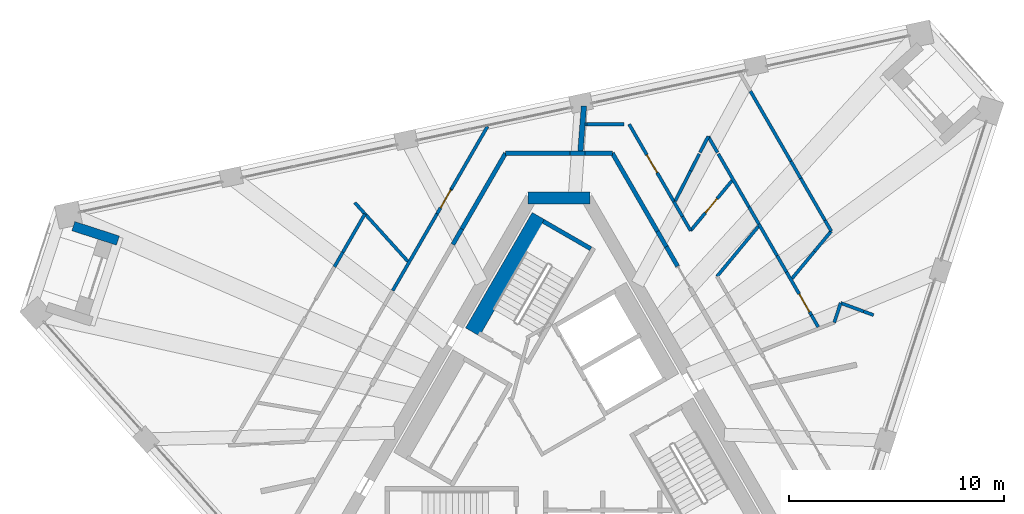
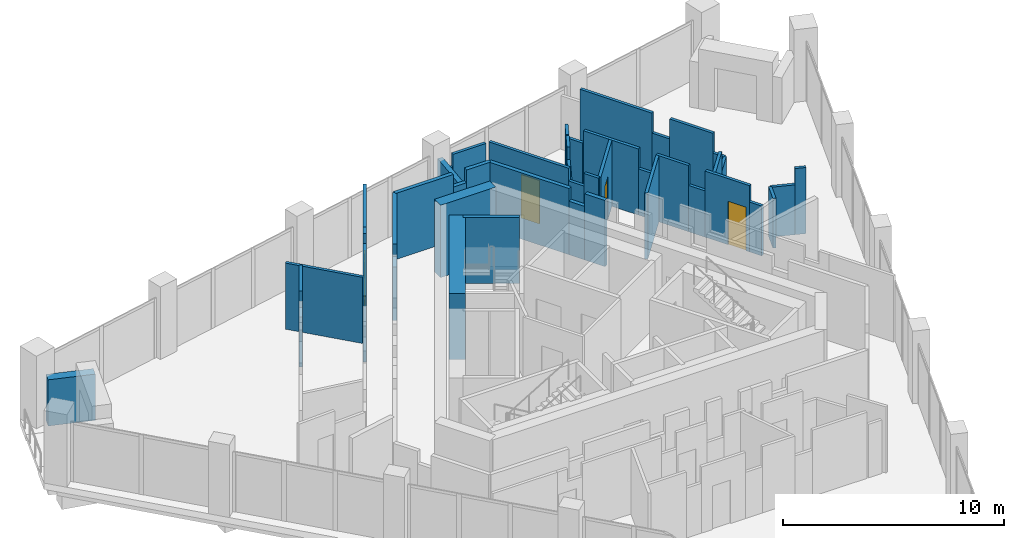
# One storey, part 13 of 17: 45 walls, 4 doors, 4 openings.
"""IFC4 building model written with IfcOpenShell, lengths in metres."""

from ifc_helpers import new_model, si_unit, direction, frame, frame_2d, origin, place, context, subcontext, project, spatial, polyline, rectangle, outline, extrude, material, layer, layer_set, type_object, element, fill, save


model = new_model("IFC4")

# Units and contexts
model_context = context("Model", 3, precision=1e-05, world=origin(), true_north=direction((0.0, 1.0)))
body_context = subcontext(model_context, "Body", "Model", "MODEL_VIEW")
ifc_project = project(units=[si_unit("LENGTHUNIT", "METRE"), si_unit("AREAUNIT", "SQUARE_METRE"), si_unit("VOLUMEUNIT", "CUBIC_METRE"), si_unit("PLANEANGLEUNIT", "RADIAN"), si_unit("MASSUNIT", "GRAM", prefix="KILO")], contexts=[model_context])

# Site, building, storey
site_placement = place(None, origin())
site = spatial("IfcSite", under=ifc_project, at=site_placement, CompositionType="ELEMENT")
building_placement = place(site_placement, origin())
building = spatial("IfcBuilding", under=site, at=building_placement, Name="Tramontana Tower", CompositionType="ELEMENT")
storey_placement = place(building_placement, frame((0.0, 0.0, 348.39990234375)))
storey = spatial("IfcBuildingStorey", under=building, at=storey_placement, Name="L80", CompositionType="ELEMENT", Elevation=348.39990234375)

# Walls
ifc_material_1 = material(Name="Concrete 70 MPa", Category="concrete")
ifc_layer_1 = layer(ifc_material_1, 0.550048828125)
ifc_layer_set_1 = layer_set([ifc_layer_1], Name="Core wall 550 70 MPa")
wall_type_1 = type_object("IfcWallType", Name="Core wall 550 70 MPa", PredefinedType="SHEAR", material=ifc_layer_set_1)
wall_1_placement = place(storey_placement, frame((1.443359375, 10.72509765625, 0.0), z_axis=(0.0, 0.0, 1.0), x_axis=(-1.0, 0.0, 0.0)))
element("IfcWall", 1, at=wall_1_placement, inside=storey, type_object=wall_type_1, Name="Core wall C0 L80", PredefinedType="SHEAR", context=body_context, shape_type="SweptSolid", body=[
    extrude(rectangle(XDim=2.88671875, YDim=0.550048828125, at=frame_2d((1.443359375, 0.0))), origin(), (0.0, 0.0, 1.0), 4.0),
])
ifc_material_2 = material(Name="Blockwork", Category="masonry")
ifc_layer_2 = layer(ifc_material_2, 0.199951171875)
ifc_layer_set_2 = layer_set([ifc_layer_2], Name="ENTRY WALL 200")
wall_type_2 = type_object("IfcWallType", Name="ENTRY WALL 200", PredefinedType="SOLIDWALL", material=ifc_layer_set_2)
wall_2_placement = place(storey_placement, frame((-4.9287109375, 8.563232421875, 0.0), z_axis=(0.0, 0.0, 1.0), x_axis=(0.500046299512, 0.865998671098, 0.0)))
element("IfcWall", 2, at=wall_2_placement, inside=storey, type_object=wall_type_2, Name="Wall v82-ew3-9", PredefinedType="SOLIDWALL", context=body_context, shape_type="SweptSolid", body=[
    extrude(rectangle(XDim=0.82666015625, YDim=0.199951171875, at=frame_2d((0.413330078125, 0.0))), origin(), (0.0, 0.0, 1.0), 2.9501953125),
])
wall_3_placement = place(storey_placement, frame((-4.515380859375, 9.279052734375, 0.0), z_axis=(0.0, 0.0, 1.0), x_axis=(0.499975428181, 0.866039589866, 0.0)))
element("IfcWall", 3, at=wall_3_placement, inside=storey, type_object=wall_type_2, Name="Wall v82-ew3-10", PredefinedType="SOLIDWALL", context=body_context, shape_type="SweptSolid", body=[
    extrude(rectangle(XDim=4.065673828125, YDim=0.199951171875, at=frame_2d((2.03271484375, 0.0))), origin(), (0.0, 0.0, 1.0), 3.650146484375),
])
wall_4_placement = place(storey_placement, frame((-2.482666015625, 12.800048828125, 0.0), z_axis=(0.0, 0.0, 1.0), x_axis=(1.0, 0.0, 0.0)))
element("IfcWall", 4, at=wall_4_placement, inside=storey, type_object=wall_type_2, Name="Wall v82-ew4-0", PredefinedType="SOLIDWALL", context=body_context, shape_type="SweptSolid", body=[
    extrude(rectangle(XDim=3.0029296875, YDim=0.199951171875, at=frame_2d((1.50146484375, 0.0))), origin(), (0.0, 0.0, 1.0), 3.650146484375),
])
wall_5_placement = place(storey_placement, frame((0.520263671875, 12.800048828125, 0.0), z_axis=(0.0, 0.0, 1.0), x_axis=(1.0, 0.0, 0.0)))
element("IfcWall", 5, at=wall_5_placement, inside=storey, type_object=wall_type_2, Name="Wall v82-ew4-1", PredefinedType="SOLIDWALL", context=body_context, shape_type="SweptSolid", body=[
    extrude(rectangle(XDim=0.701416015625, YDim=0.199951171875, at=frame_2d((0.3505859375, 0.0))), origin(), (0.0, 0.0, 1.0), 2.9501953125),
])
wall_6_placement = place(storey_placement, frame((1.2216796875, 12.800048828125, 0.0), z_axis=(0.0, 0.0, 1.0), x_axis=(1.0, 0.0, 0.0)))
element("IfcWall", 6, at=wall_6_placement, inside=storey, type_object=wall_type_2, Name="Wall v82-ew4-2", PredefinedType="SOLIDWALL", context=body_context, shape_type="SweptSolid", body=[
    extrude(rectangle(XDim=1.260986328125, YDim=0.199951171875, at=frame_2d((0.63037109375, 0.0))), origin(), (0.0, 0.0, 1.0), 3.650146484375),
])
wall_7_placement = place(storey_placement, frame((2.482666015625, 12.800048828125, 0.0), z_axis=(0.0, 0.0, 1.0), x_axis=(0.499982771656, -0.866035350345, 0.0)))
element("IfcWall", 7, at=wall_7_placement, inside=storey, type_object=wall_type_2, Name="Wall v82-ew5-0", PredefinedType="SOLIDWALL", context=body_context, shape_type="SweptSolid", body=[
    extrude(rectangle(XDim=4.194580078125, YDim=0.199951171875, at=frame_2d((2.09716796875, 0.0))), origin(), (0.0, 0.0, 1.0), 3.650146484375),
])
wall_8_placement = place(storey_placement, frame((4.579833984375, 9.16748046875, 0.0), z_axis=(0.0, 0.0, 1.0), x_axis=(0.499945576647, -0.866056822842, 0.0)))
element("IfcWall", 8, at=wall_8_placement, inside=storey, type_object=wall_type_2, Name="Wall v82-ew5-1", PredefinedType="SOLIDWALL", context=body_context, shape_type="SweptSolid", body=[
    extrude(rectangle(XDim=0.82080078125, YDim=0.199951171875, at=frame_2d((0.410400390625, 0.0))), origin(), (0.0, 0.0, 1.0), 2.9501953125),
])
wall_9_placement = place(storey_placement, frame((4.990234375, 8.45654296875, 0.0), z_axis=(0.0, 0.0, 1.0), x_axis=(0.500064554934, -0.865988129768, 0.0)))
element("IfcWall", 9, at=wall_9_placement, inside=storey, type_object=wall_type_2, Name="Wall v82-ew5-2", PredefinedType="SOLIDWALL", context=body_context, shape_type="SweptSolid", body=[
    extrude(rectangle(XDim=1.050048828125, YDim=0.199951171875, at=frame_2d((0.52490234375, 0.0))), origin(), (0.0, 0.0, 1.0), 3.650146484375),
])
ifc_material_3 = material(Name="Precast concrete 60 MPa", Category="concrete")
ifc_layer_3 = layer(ifc_material_3, 0.449951171875)
ifc_layer_set_3 = layer_set([ifc_layer_3], Name="Precast concrete 60 MPa, 450 mm")
wall_type_3 = type_object("IfcWallType", Name="EW1 Stone-faced precast wall 450", PredefinedType="SOLIDWALL", material=ifc_layer_set_3)
wall_10_placement = place(storey_placement, frame((-22.57568359375, 9.411865234375, 0.0), z_axis=(0.0, 0.0, 1.0), x_axis=(0.951064526973, -0.308992338955, 0.0)))
element("IfcWall", 10, at=wall_10_placement, inside=storey, type_object=wall_type_3, Name="Corner loggia side wall L80 K80r", PredefinedType="SOLIDWALL", context=body_context, shape_type="SweptSolid", body=[
    extrude(rectangle(XDim=2.17919921875, YDim=0.449951171875, at=frame_2d((1.089599609375, 0.0))), origin(), (0.0, 0.0, 1.0), 2.550048828125),
])
ifc_material_4 = material(Name="Gypsum board partition")
ifc_layer_4 = layer(ifc_material_4, 0.14990234375)
ifc_layer_set_4 = layer_set([ifc_layer_4], Name="PARTITION 150")
wall_type_4 = type_object("IfcWallType", Name="PARTITION 150", PredefinedType="PARTITIONING", material=ifc_layer_set_4)
wall_11_placement = place(storey_placement, frame((-10.438232421875, 7.520263671875, 0.0), z_axis=(0.0, 0.0, 1.0), x_axis=(0.500001804394, 0.866024362014, 0.0)))
element("IfcWall", 11, at=wall_11_placement, inside=storey, type_object=wall_type_4, Name="Wall v82-pw02-5", PredefinedType="PARTITIONING", context=body_context, shape_type="SweptSolid", body=[
    extrude(rectangle(XDim=0.78173828125, YDim=0.14990234375, at=frame_2d((0.390869140625, 0.0))), origin(), (0.0, 0.0, 1.0), 2.75),
])
wall_12_placement = place(storey_placement, frame((-10.04736328125, 8.197265625, 0.0), z_axis=(0.0, 0.0, 1.0), x_axis=(0.499972721762, 0.86604115231, 0.0)))
element("IfcWall", 12, at=wall_12_placement, inside=storey, type_object=wall_type_4, Name="Wall v82-pw02-6", PredefinedType="PARTITIONING", context=body_context, shape_type="SweptSolid", body=[
    extrude(rectangle(XDim=2.0546875, YDim=0.14990234375, at=frame_2d((1.02734375, 0.0))), origin(), (0.0, 0.0, 1.0), 3.650146484375),
])
wall_13_placement = place(storey_placement, frame((-7.726806640625, 6.416748046875, 0.0), z_axis=(0.0, 0.0, 1.0), x_axis=(0.50002680699, 0.866009926209, 0.0)))
element("IfcWall", 13, at=wall_13_placement, inside=storey, type_object=wall_type_4, Name="Wall v82-pw03-7", PredefinedType="PARTITIONING", context=body_context, shape_type="SweptSolid", body=[
    extrude(rectangle(XDim=4.119873046875, YDim=0.14990234375, at=frame_2d((2.06005859375, 0.0))), origin(), (0.0, 0.0, 1.0), 3.650146484375),
])

# Wall, opening, door
wall_14_placement = place(storey_placement, frame((-5.666748046875, 9.984619140625, 0.0), z_axis=(0.0, 0.0, 1.0), x_axis=(0.499904166098, 0.866080726444, 0.0)))
wall_14 = element("IfcWall", 14, at=wall_14_placement, inside=storey, type_object=wall_type_4, Name="Wall v82-pw03-8", PredefinedType="PARTITIONING", context=body_context, shape_type="SweptSolid", body=[
    extrude(outline(polyline([(0.0, 0.0), (1.318115234375, 0.0), (1.318115234375, 3.650146484375), (0.796875, 3.650146484375), (0.796875, 2.9501953125), (0.0, 2.9501953125), (0.0, 0.0)])), frame((0.0, 0.074951171875, 0.0), z_axis=(0.0, -1.0, 0.0), x_axis=(1.0, 0.0, 0.0)), (0.0, 0.0, 1.0), 0.14990234375),
])
opening_1_placement = place(wall_14_placement, frame((0.318115234375, 0.0, 0.0)))
opening_1 = element("IfcOpeningElement", 15, at=opening_1_placement, cuts=wall_14, Name="Opening B8C-03", PredefinedType="OPENING", context=body_context, shape_type="SweptSolid", body=[
    extrude(rectangle(XDim=0.949951171875, YDim=2.39990234375, at=frame_2d((0.47509765625, 1.199951171875))), frame((0.0, 0.0849609375, 0.0), z_axis=(0.0, -1.0, 0.0), x_axis=(1.0, 0.0, 0.0)), (0.0, 0.0, 1.0), 0.169921875),
])
ifc_material_5 = material(Name="Painted timber", Category="wood")
door_type_1 = type_object("IfcDoorType", Name="DOOR ROOM 950", OperationType="SINGLE_SWING_LEFT", PredefinedType="DOOR", material=ifc_material_5)
door_1_placement = place(opening_1_placement, origin())
door_1 = element("IfcDoor", 16, at=door_1_placement, inside=storey, type_object=door_type_1, Name="Door B8C-03", OperationType="SINGLE_SWING_LEFT", OverallHeight=2.39990234375, OverallWidth=0.949951171875, PredefinedType="DOOR", context=body_context, shape_type="SweptSolid", body=[
    extrude(rectangle(XDim=0.949951171875, YDim=2.39990234375, at=frame_2d((0.47509765625, 1.199951171875))), frame((0.0, 0.02490234375, 0.0), z_axis=(0.0, -1.0, 0.0), x_axis=(1.0, 0.0, 0.0)), (0.0, 0.0, 1.0), 0.050048828125),
])
fill(opening_1, door_1)

# Walls
wall_15_placement = place(storey_placement, frame((-5.0078125, 11.126220703125, 0.0), z_axis=(0.0, 0.0, 1.0), x_axis=(0.499994068514, 0.866028828302, 0.0)))
element("IfcWall", 17, at=wall_15_placement, inside=storey, type_object=wall_type_4, Name="Wall v82-pw03-9", PredefinedType="PARTITIONING", context=body_context, shape_type="SweptSolid", body=[
    extrude(rectangle(XDim=3.37158203125, YDim=0.14990234375, at=frame_2d((1.685791015625, 0.0))), origin(), (0.0, 0.0, 1.0), 3.650146484375),
])
wall_16_placement = place(storey_placement, frame((-9.490234375, 10.501708984375, 0.0), z_axis=(0.0, 0.0, 1.0), x_axis=(0.670469300735, -0.741937272801, 0.0)))
element("IfcWall", 18, at=wall_16_placement, inside=storey, type_object=wall_type_4, Name="Wall v82-pw06", PredefinedType="PARTITIONING", context=body_context, shape_type="SweptSolid", body=[
    extrude(rectangle(XDim=3.67236328125, YDim=0.14990234375, at=frame_2d((1.836181640625, 0.0))), origin(), (0.0, 0.0, 1.0), 3.650146484375),
])
wall_17_placement = place(storey_placement, frame((1.220703125, 14.14990234375, 0.0), z_axis=(0.0, 0.0, 1.0), x_axis=(1.0, 0.0, 0.0)))
element("IfcWall", 19, at=wall_17_placement, inside=storey, type_object=wall_type_4, Name="Wall v82-pw08-0", PredefinedType="PARTITIONING", context=body_context, shape_type="SweptSolid", body=[
    extrude(rectangle(XDim=0.080322265625, YDim=0.14990234375, at=frame_2d((0.0400390625, 0.0))), origin(), (0.0, 0.0, 1.0), 2.9501953125),
])
wall_18_placement = place(storey_placement, frame((1.301025390625, 14.14990234375, 0.0), z_axis=(0.0, 0.0, 1.0), x_axis=(1.0, 0.0, 0.0)))
element("IfcWall", 20, at=wall_18_placement, inside=storey, type_object=wall_type_4, Name="Wall v82-pw08-1", PredefinedType="PARTITIONING", context=body_context, shape_type="SweptSolid", body=[
    extrude(rectangle(XDim=1.724365234375, YDim=0.14990234375, at=frame_2d((0.8623046875, 0.0))), origin(), (0.0, 0.0, 1.0), 3.650146484375),
])

# Wall, opening, door
wall_19_placement = place(storey_placement, frame((3.261962890625, 14.14990234375, 0.0), z_axis=(0.0, 0.0, 1.0), x_axis=(0.500032238466, -0.866006790097, 0.0)))
wall_19 = element("IfcWall", 21, at=wall_19_placement, inside=storey, type_object=wall_type_4, Name="Wall v82-pw11-0", PredefinedType="PARTITIONING", context=body_context, shape_type="SweptSolid", body=[
    extrude(rectangle(XDim=4.161376953125, YDim=0.14990234375, at=frame_2d((2.08056640625, 0.0))), origin(), (0.0, 0.0, 1.0), 3.650146484375),
])
opening_2_placement = place(wall_19_placement, frame((1.651611328125, 0.0, 0.0)))
opening_2 = element("IfcOpeningElement", 22, at=opening_2_placement, cuts=wall_19, Name="Opening B8C-11", PredefinedType="OPENING", context=body_context, shape_type="SweptSolid", body=[
    extrude(rectangle(XDim=0.949951171875, YDim=2.39990234375, at=frame_2d((0.47509765625, 1.199951171875))), frame((0.0, 0.0849609375, 0.0), z_axis=(0.0, -1.0, 0.0), x_axis=(1.0, 0.0, 0.0)), (0.0, 0.0, 1.0), 0.169921875),
])
door_2_placement = place(opening_2_placement, origin())
door_2 = element("IfcDoor", 23, at=door_2_placement, inside=storey, type_object=door_type_1, Name="Door B8C-11", OperationType="SINGLE_SWING_LEFT", OverallHeight=2.39990234375, OverallWidth=0.949951171875, PredefinedType="DOOR", context=body_context, shape_type="SweptSolid", body=[
    extrude(rectangle(XDim=0.949951171875, YDim=2.39990234375, at=frame_2d((0.47509765625, 1.199951171875))), frame((0.0, 0.02490234375, 0.0), z_axis=(0.0, -1.0, 0.0), x_axis=(1.0, 0.0, 0.0)), (0.0, 0.0, 1.0), 0.050048828125),
])
fill(opening_2, door_2)

# Walls
wall_20_placement = place(storey_placement, frame((5.3427734375, 10.546142578125, 0.0), z_axis=(0.0, 0.0, 1.0), x_axis=(0.499953838557, -0.866052053466, 0.0)))
element("IfcWall", 24, at=wall_20_placement, inside=storey, type_object=wall_type_4, Name="Wall v82-pw11-1", PredefinedType="PARTITIONING", context=body_context, shape_type="SweptSolid", body=[
    extrude(rectangle(XDim=0.79150390625, YDim=0.14990234375, at=frame_2d((0.395751953125, 0.0))), origin(), (0.0, 0.0, 1.0), 2.9501953125),
])
wall_21_placement = place(storey_placement, frame((5.738525390625, 9.860595703125, 0.0), z_axis=(0.0, 0.0, 1.0), x_axis=(0.499888569412, -0.866089728707, 0.0)))
element("IfcWall", 25, at=wall_21_placement, inside=storey, type_object=wall_type_4, Name="Wall v82-pw11-2", PredefinedType="PARTITIONING", context=body_context, shape_type="SweptSolid", body=[
    extrude(rectangle(XDim=0.763427734375, YDim=0.14990234375, at=frame_2d((0.3818359375, 0.0))), origin(), (0.0, 0.0, 1.0), 3.650146484375),
])
wall_22_placement = place(storey_placement, frame((5.40771484375, 10.58349609375, 0.0), z_axis=(0.0, 0.0, 1.0), x_axis=(0.455037050625, 0.890472505223, 0.0)))
element("IfcWall", 26, at=wall_22_placement, inside=storey, type_object=wall_type_4, Name="Wall v82-pw12-0", PredefinedType="PARTITIONING", context=body_context, shape_type="SweptSolid", body=[
    extrude(rectangle(XDim=1.5693359375, YDim=0.14990234375, at=frame_2d((0.78466796875, 0.0))), origin(), (0.0, 0.0, 1.0), 2.9501953125),
])
wall_23_placement = place(storey_placement, frame((6.121826171875, 11.98095703125, 0.0), z_axis=(0.0, 0.0, 1.0), x_axis=(0.454907271536, 0.890538811228, 0.0)))
element("IfcWall", 27, at=wall_23_placement, inside=storey, type_object=wall_type_4, Name="Wall v82-pw12-1", PredefinedType="PARTITIONING", context=body_context, shape_type="SweptSolid", body=[
    extrude(rectangle(XDim=0.88671875, YDim=0.14990234375, at=frame_2d((0.443359375, 0.0))), origin(), (0.0, 0.0, 1.0), 3.650146484375),
])

# Wall, opening, door
wall_24_placement = place(storey_placement, frame((6.1201171875, 9.199462890625, 0.0), z_axis=(0.0, 0.0, 1.0), x_axis=(0.63755942525, 0.770401180733, 0.0)))
wall_24 = element("IfcWall", 28, at=wall_24_placement, inside=storey, type_object=wall_type_4, Name="Wall v82-pw13", PredefinedType="PARTITIONING", context=body_context, shape_type="SweptSolid", body=[
    extrude(rectangle(XDim=3.01416015625, YDim=0.14990234375, at=frame_2d((1.507080078125, 0.0))), origin(), (0.0, 0.0, 1.0), 3.650146484375),
])
opening_3_placement = place(wall_24_placement, frame((1.08203125, 0.0, 0.0)))
opening_3 = element("IfcOpeningElement", 29, at=opening_3_placement, cuts=wall_24, Name="Opening B8C-09", PredefinedType="OPENING", context=body_context, shape_type="SweptSolid", body=[
    extrude(rectangle(XDim=0.85009765625, YDim=2.39990234375, at=frame_2d((0.425048828125, 1.199951171875))), frame((0.0, 0.0849609375, 0.0), z_axis=(0.0, -1.0, 0.0), x_axis=(1.0, 0.0, 0.0)), (0.0, 0.0, 1.0), 0.169921875),
])
ifc_material_6 = material(Name="Painted timber", Category="wood")
door_type_2 = type_object("IfcDoorType", Name="DOOR BATH 850", OperationType="SINGLE_SWING_LEFT", PredefinedType="DOOR", material=ifc_material_6)
door_3_placement = place(opening_3_placement, origin())
door_3 = element("IfcDoor", 30, at=door_3_placement, inside=storey, type_object=door_type_2, Name="Door B8C-09", OperationType="SINGLE_SWING_LEFT", OverallHeight=2.39990234375, OverallWidth=0.85009765625, PredefinedType="DOOR", context=body_context, shape_type="SweptSolid", body=[
    extrude(rectangle(XDim=0.85009765625, YDim=2.39990234375, at=frame_2d((0.425048828125, 1.199951171875))), frame((0.0, 0.02490234375, 0.0), z_axis=(0.0, -1.0, 0.0), x_axis=(1.0, 0.0, 0.0)), (0.0, 0.0, 1.0), 0.050048828125),
])
fill(opening_3, door_3)

# Walls
wall_25_placement = place(storey_placement, frame((6.55712890625, 12.832763671875, 0.0), z_axis=(0.0, 0.0, 1.0), x_axis=(0.454870350547, 0.890557670336, 0.0)))
element("IfcWall", 31, at=wall_25_placement, inside=storey, type_object=wall_type_4, Name="Wall v82-pw15", PredefinedType="PARTITIONING", context=body_context, shape_type="SweptSolid", body=[
    extrude(rectangle(XDim=0.840087890625, YDim=0.14990234375, at=frame_2d((0.419921875, 0.0))), origin(), (0.0, 0.0, 1.0), 3.650146484375),
])
wall_26_placement = place(storey_placement, frame((6.939208984375, 13.580810546875, 0.0), z_axis=(0.0, 0.0, 1.0), x_axis=(0.499990973765, -0.866030615021, 0.0)))
element("IfcWall", 32, at=wall_26_placement, inside=storey, type_object=wall_type_4, Name="Wall v82-pw16-0", PredefinedType="PARTITIONING", context=body_context, shape_type="SweptSolid", body=[
    extrude(rectangle(XDim=0.86572265625, YDim=0.14990234375, at=frame_2d((0.432861328125, 0.0))), origin(), (0.0, 0.0, 1.0), 2.9501953125),
])
wall_27_placement = place(storey_placement, frame((7.4072265625, 12.7705078125, 0.0), z_axis=(0.0, 0.0, 1.0), x_axis=(0.499966841219, -0.866044547169, 0.0)))
element("IfcWall", 33, at=wall_27_placement, inside=storey, type_object=wall_type_4, Name="Wall v82-pw19-0", PredefinedType="PARTITIONING", context=body_context, shape_type="SweptSolid", body=[
    extrude(rectangle(XDim=2.853759765625, YDim=0.14990234375, at=frame_2d((1.4267578125, 0.0))), origin(), (0.0, 0.0, 1.0), 3.650146484375),
])
wall_28_placement = place(storey_placement, frame((8.833984375, 10.299072265625, 0.0), z_axis=(0.0, 0.0, 1.0), x_axis=(0.499945096919, -0.866057099772, 0.0)))
element("IfcWall", 34, at=wall_28_placement, inside=storey, type_object=wall_type_4, Name="Wall v82-pw19-1", PredefinedType="PARTITIONING", context=body_context, shape_type="SweptSolid", body=[
    extrude(rectangle(XDim=0.91748046875, YDim=0.14990234375, at=frame_2d((0.458740234375, 0.0))), origin(), (0.0, 0.0, 1.0), 2.550048828125),
])
wall_29_placement = place(storey_placement, frame((9.292724609375, 9.50439453125, 0.0), z_axis=(0.0, 0.0, 1.0), x_axis=(0.500046963369, -0.865998287773, 0.0)))
element("IfcWall", 35, at=wall_29_placement, inside=storey, type_object=wall_type_4, Name="Wall v82-pw19-2", PredefinedType="PARTITIONING", context=body_context, shape_type="SweptSolid", body=[
    extrude(rectangle(XDim=1.693115234375, YDim=0.14990234375, at=frame_2d((0.8466796875, 0.0))), origin(), (0.0, 0.0, 1.0), 3.650146484375),
])
wall_30_placement = place(storey_placement, frame((10.139404296875, 8.0380859375, 0.0), z_axis=(0.0, 0.0, 1.0), x_axis=(0.499866452165, -0.866102493935, 0.0)))
element("IfcWall", 36, at=wall_30_placement, inside=storey, type_object=wall_type_4, Name="Wall v82-pw19-3", PredefinedType="PARTITIONING", context=body_context, shape_type="SweptSolid", body=[
    extrude(rectangle(XDim=0.880615234375, YDim=0.14990234375, at=frame_2d((0.4404296875, 0.0))), origin(), (0.0, 0.0, 1.0), 2.550048828125),
])

# Wall, opening, door
wall_31_placement = place(storey_placement, frame((10.57958984375, 7.275390625, 0.0), z_axis=(0.0, 0.0, 1.0), x_axis=(0.500012835235, -0.866017993231, 0.0)))
wall_31 = element("IfcWall", 37, at=wall_31_placement, inside=storey, type_object=wall_type_4, Name="Wall v82-pw19-4", PredefinedType="PARTITIONING", context=body_context, shape_type="SweptSolid", body=[
    extrude(rectangle(XDim=2.3046875, YDim=0.14990234375, at=frame_2d((1.15234375, 0.0))), origin(), (0.0, 0.0, 1.0), 3.650146484375),
])
opening_4_placement = place(wall_31_placement, frame((1.183837890625, 0.0, 0.0)))
opening_4 = element("IfcOpeningElement", 38, at=opening_4_placement, cuts=wall_31, Name="Opening B8C-14", PredefinedType="OPENING", context=body_context, shape_type="SweptSolid", body=[
    extrude(rectangle(XDim=0.949951171875, YDim=2.39990234375, at=frame_2d((0.47509765625, 1.199951171875))), frame((0.0, 0.0849609375, 0.0), z_axis=(0.0, -1.0, 0.0), x_axis=(1.0, 0.0, 0.0)), (0.0, 0.0, 1.0), 0.169921875),
])
door_4_placement = place(opening_4_placement, origin())
door_4 = element("IfcDoor", 39, at=door_4_placement, inside=storey, type_object=door_type_1, Name="Door B8C-14", OperationType="SINGLE_SWING_RIGHT", OverallHeight=2.39990234375, OverallWidth=0.949951171875, PredefinedType="DOOR", context=body_context, shape_type="SweptSolid", body=[
    extrude(rectangle(XDim=0.949951171875, YDim=2.39990234375, at=frame_2d((0.47509765625, 1.199951171875))), frame((0.0, 0.02490234375, 0.0), z_axis=(0.0, -1.0, 0.0), x_axis=(1.0, 0.0, 0.0)), (0.0, 0.0, 1.0), 0.050048828125),
])
fill(opening_4, door_4)

# Walls
wall_32_placement = place(storey_placement, frame((11.73193359375, 5.279541015625, 0.0), z_axis=(0.0, 0.0, 1.0), x_axis=(0.500182682664, -0.865919906206, 0.0)))
element("IfcWall", 40, at=wall_32_placement, inside=storey, type_object=wall_type_4, Name="Wall v82-pw19-5", PredefinedType="PARTITIONING", context=body_context, shape_type="SweptSolid", body=[
    extrude(rectangle(XDim=0.642822265625, YDim=0.14990234375, at=frame_2d((0.3212890625, 0.0))), origin(), (0.0, 0.0, 1.0), 2.75),
])
wall_33_placement = place(storey_placement, frame((9.2685546875, 9.396484375, 0.0), z_axis=(0.0, 0.0, 1.0), x_axis=(-0.637511345934, -0.770440967113, 0.0)))
element("IfcWall", 41, at=wall_33_placement, inside=storey, type_object=wall_type_4, Name="Wall v82-pw23", PredefinedType="PARTITIONING", context=body_context, shape_type="SweptSolid", body=[
    extrude(rectangle(XDim=3.013916015625, YDim=0.14990234375, at=frame_2d((1.5068359375, 0.0))), origin(), (0.0, 0.0, 1.0), 3.650146484375),
])
wall_34_placement = place(storey_placement, frame((10.838134765625, 6.979736328125, 0.0), z_axis=(0.0, 0.0, 1.0), x_axis=(0.637509370169, 0.770442601981, 0.0)))
element("IfcWall", 42, at=wall_34_placement, inside=storey, type_object=wall_type_4, Name="Wall v82-pw24-0", PredefinedType="PARTITIONING", context=body_context, shape_type="SweptSolid", body=[
    extrude(rectangle(XDim=1.627197265625, YDim=0.14990234375, at=frame_2d((0.8134765625, 0.0))), origin(), (0.0, 0.0, 1.0), 3.650146484375),
])
wall_35_placement = place(storey_placement, frame((11.87548828125, 8.2333984375, 0.0), z_axis=(0.0, 0.0, 1.0), x_axis=(0.637588147155, 0.770377410499, 0.0)))
element("IfcWall", 43, at=wall_35_placement, inside=storey, type_object=wall_type_4, Name="Wall v82-pw24-1", PredefinedType="PARTITIONING", context=body_context, shape_type="SweptSolid", body=[
    extrude(rectangle(XDim=1.22265625, YDim=0.14990234375, at=frame_2d((0.611328125, 0.0))), origin(), (0.0, 0.0, 1.0), 2.550048828125),
])
wall_36_placement = place(storey_placement, frame((12.655517578125, 9.179931640625, 0.0), z_axis=(0.0, 0.0, 1.0), x_axis=(-0.500025556299, 0.866010648346, 0.0)))
element("IfcWall", 44, at=wall_36_placement, inside=storey, type_object=wall_type_4, Name="Wall v82-pw25-0", PredefinedType="PARTITIONING", context=body_context, shape_type="SweptSolid", body=[
    extrude(rectangle(XDim=0.5810546875, YDim=0.14990234375, at=frame_2d((0.29052734375, 0.0))), origin(), (0.0, 0.0, 1.0), 2.550048828125),
])
wall_37_placement = place(storey_placement, frame((12.364990234375, 9.68310546875, 0.0), z_axis=(0.0, 0.0, 1.0), x_axis=(-0.499966648284, 0.866044658551, 0.0)))
element("IfcWall", 45, at=wall_37_placement, inside=storey, type_object=wall_type_4, Name="Wall v82-pw25-1", PredefinedType="PARTITIONING", context=body_context, shape_type="SweptSolid", body=[
    extrude(rectangle(XDim=2.250244140625, YDim=0.14990234375, at=frame_2d((1.125, 0.0))), origin(), (0.0, 0.0, 1.0), 3.650146484375),
])
wall_38_placement = place(storey_placement, frame((11.239990234375, 11.6318359375, 0.0), z_axis=(0.0, 0.0, 1.0), x_axis=(-0.499945096919, 0.866057099772, 0.0)))
element("IfcWall", 46, at=wall_38_placement, inside=storey, type_object=wall_type_4, Name="Wall v82-pw25-2", PredefinedType="PARTITIONING", context=body_context, shape_type="SweptSolid", body=[
    extrude(rectangle(XDim=0.91748046875, YDim=0.14990234375, at=frame_2d((0.458740234375, 0.0))), origin(), (0.0, 0.0, 1.0), 2.550048828125),
])
wall_39_placement = place(storey_placement, frame((10.78125, 12.426513671875, 0.0), z_axis=(0.0, 0.0, 1.0), x_axis=(-0.499999645032, 0.866025608725, 0.0)))
element("IfcWall", 47, at=wall_39_placement, inside=storey, type_object=wall_type_4, Name="Wall v82-pw25-3", PredefinedType="PARTITIONING", context=body_context, shape_type="SweptSolid", body=[
    extrude(rectangle(XDim=3.76123046875, YDim=0.14990234375, at=frame_2d((1.880615234375, 0.0))), origin(), (0.0, 0.0, 1.0), 3.650146484375),
])
wall_40_placement = place(storey_placement, frame((13.094482421875, 5.8369140625, 0.0), z_axis=(0.0, 0.0, 1.0), x_axis=(-0.309074492062, -0.951037832243, 0.0)))
element("IfcWall", 48, at=wall_40_placement, inside=storey, type_object=wall_type_4, Name="Wall v82-pw27-0", PredefinedType="PARTITIONING", context=body_context, shape_type="SweptSolid", body=[
    extrude(rectangle(XDim=0.953369140625, YDim=0.14990234375, at=frame_2d((0.4765625, 0.0))), origin(), (0.0, 0.0, 1.0), 2.75),
])
wall_41_placement = place(storey_placement, frame((14.6259765625, 5.275146484375, 0.0), z_axis=(0.0, 0.0, 1.0), x_axis=(-0.938334720131, 0.345728148979, 0.0)))
element("IfcWall", 49, at=wall_41_placement, inside=storey, type_object=wall_type_4, Name="Wall v82-pw28-0", PredefinedType="PARTITIONING", context=body_context, shape_type="SweptSolid", body=[
    extrude(rectangle(XDim=0.496337890625, YDim=0.14990234375, at=frame_2d((0.248046875, 0.0))), origin(), (0.0, 0.0, 1.0), 3.650146484375),
])
wall_42_placement = place(storey_placement, frame((14.16015625, 5.44677734375, 0.0), z_axis=(0.0, 0.0, 1.0), x_axis=(-0.938446088478, 0.345425735897, 0.0)))
element("IfcWall", 50, at=wall_42_placement, inside=storey, type_object=wall_type_4, Name="Wall v82-pw28-1", PredefinedType="PARTITIONING", context=body_context, shape_type="SweptSolid", body=[
    extrude(rectangle(XDim=1.133056640625, YDim=0.14990234375, at=frame_2d((0.56640625, 0.0))), origin(), (0.0, 0.0, 1.0), 2.75),
])
ifc_material_7 = material(Name="Blockwork", Category="masonry")
ifc_layer_5 = layer(ifc_material_7, 0.25)
ifc_layer_set_5 = layer_set([ifc_layer_5], Name="PARTY WALL 250")
wall_type_5 = type_object("IfcWallType", Name="PARTY WALL 250", PredefinedType="SOLIDWALL", material=ifc_layer_set_5)
wall_43_placement = place(storey_placement, frame((1.1611328125, 14.9990234375, 0.0), z_axis=(0.0, 0.0, 1.0), x_axis=(-0.077237463648, -0.997012725199, 0.0)))
element("IfcWall", 51, at=wall_43_placement, inside=storey, type_object=wall_type_5, Name="Wall v82-pw09-0", PredefinedType="SOLIDWALL", context=body_context, shape_type="SweptSolid", body=[
    extrude(rectangle(XDim=2.105224609375, YDim=0.25, at=frame_2d((1.052734375, 0.0))), origin(), (0.0, 0.0, 1.0), 2.9501953125),
])
ifc_material_8 = material(Name="Concrete 70 MPa", Category="concrete")
ifc_layer_6 = layer(ifc_material_8, 0.75)
ifc_layer_set_6 = layer_set([ifc_layer_6], Name="Concrete 70 MPa, 750 mm")
wall_type_6 = type_object("IfcWallType", Name="RC SHAFT BACK WALL 750", PredefinedType="SOLIDWALL", material=ifc_layer_set_6)
wall_44_placement = place(storey_placement, frame((-0.91796875, 9.85986328125, 0.0), z_axis=(0.0, 0.0, 1.0), x_axis=(-0.500026960575, -0.86600983753, 0.0)))
element("IfcWall", 52, at=wall_44_placement, inside=storey, type_object=wall_type_6, Name="Wall st1-back", PredefinedType="SOLIDWALL", context=body_context, shape_type="SweptSolid", body=[
    extrude(rectangle(XDim=6.199951171875, YDim=0.75, at=frame_2d((3.10009765625, 0.0))), origin(), (0.0, 0.0, 1.0), 3.650146484375),
])
ifc_material_9 = material(Name="Concrete 70 MPa", Category="concrete")
ifc_layer_7 = layer(ifc_material_9, 0.199951171875)
ifc_layer_set_7 = layer_set([ifc_layer_7], Name="Concrete 70 MPa, 200 mm")
wall_type_7 = type_object("IfcWallType", Name="RC STAIR AND SHAFT WALL 200", PredefinedType="SOLIDWALL", material=ifc_layer_set_7)
wall_45_placement = place(storey_placement, frame((1.478515625, 8.36083984375, 0.0), z_axis=(0.0, 0.0, 1.0), x_axis=(-0.865989465428, 0.500062241894, 0.0)))
element("IfcWall", 53, at=wall_45_placement, inside=storey, type_object=wall_type_7, Name="Wall st1-far", PredefinedType="SOLIDWALL", context=body_context, shape_type="SweptSolid", body=[
    extrude(rectangle(XDim=2.550048828125, YDim=0.199951171875, at=frame_2d((1.27490234375, 0.0))), origin(), (0.0, 0.0, 1.0), 3.650146484375),
])

save(model, "model.ifc")
